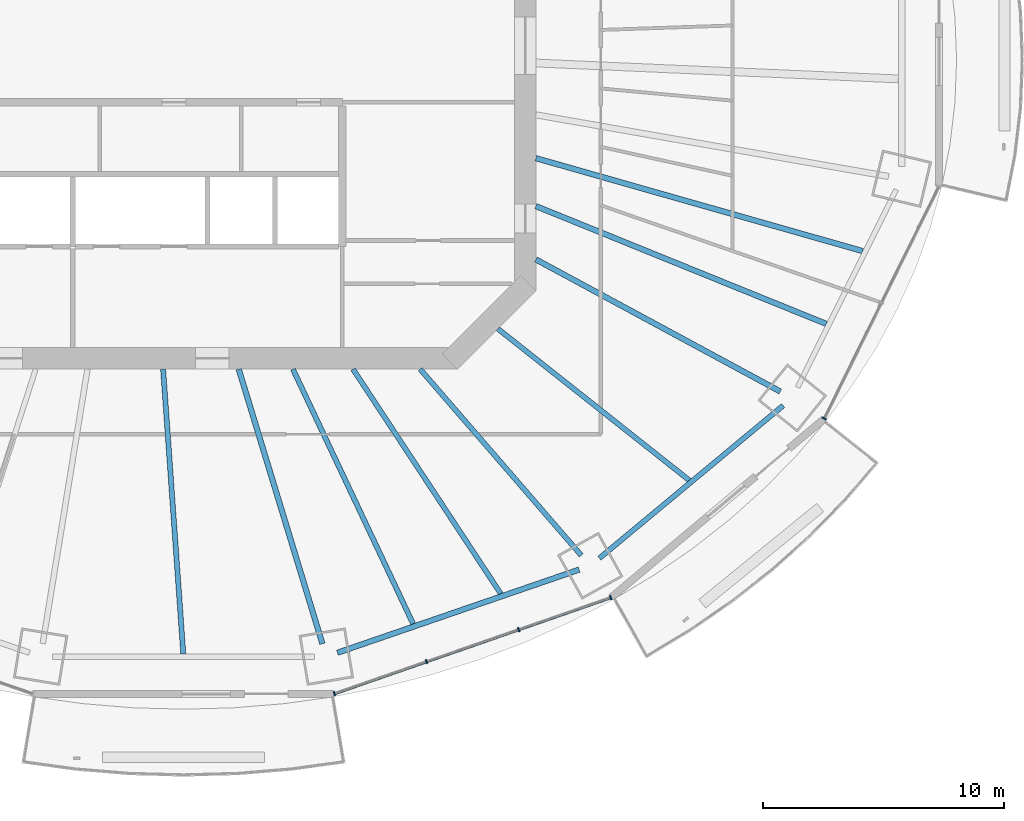
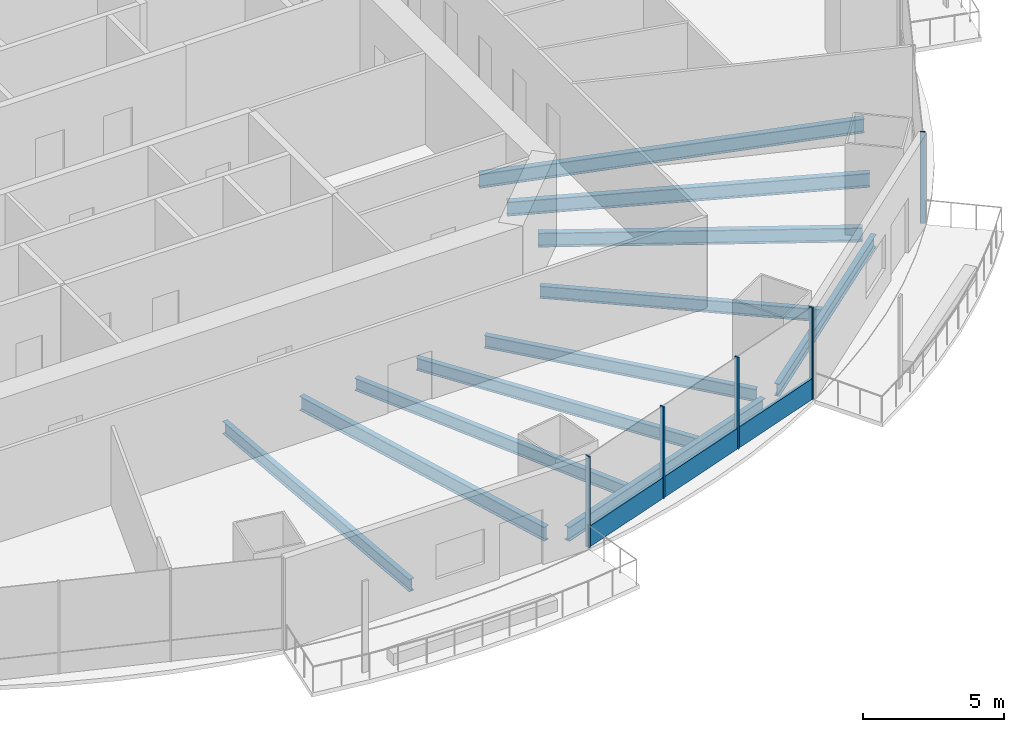
# One storey, part 4 of 20: 11 beams, 6 members, 2 elements without a shape of their own.
"""IFC4 building model written with IfcOpenShell, lengths in metres."""

from ifc_helpers import new_model, si_unit, direction, frame, origin, origin_2d, place, context, subcontext, project, spatial, rectangle, i_section, extrude, material, material_profile, profile_set, type_object, element, aggregate, save


model = new_model("IFC4")

# Units and contexts
model_context = context("Model", 3, precision=1e-05, world=origin(), true_north=direction((0.0, 1.0)))
body_context = subcontext(model_context, "Body", "Model", "MODEL_VIEW")
ifc_project = project(units=[si_unit("LENGTHUNIT", "METRE"), si_unit("AREAUNIT", "SQUARE_METRE"), si_unit("VOLUMEUNIT", "CUBIC_METRE"), si_unit("PLANEANGLEUNIT", "RADIAN"), si_unit("MASSUNIT", "GRAM", prefix="KILO")], contexts=[model_context])

# Site, building, storey
site_placement = place(None, origin())
site = spatial("IfcSite", under=ifc_project, at=site_placement, CompositionType="ELEMENT")
building_placement = place(site_placement, origin())
building = spatial("IfcBuilding", under=site, at=building_placement, Name="Marenthal Gate Tower", CompositionType="ELEMENT")
storey_placement = place(building_placement, frame((0.0, 0.0, 194.25)))
storey = spatial("IfcBuildingStorey", under=building, at=storey_placement, Name="L42", CompositionType="ELEMENT", Elevation=194.25)

# Curtain wall, members
ifc_material_1 = material(Name="Aluminium and glass", Category="aluminium")
curtain_wall_type = type_object("IfcCurtainWallType", Name="Curtain wall typical mid", PredefinedType="NOTDEFINED", material=ifc_material_1)
curtain_wall_1_placement = place(storey_placement, origin())
curtain_wall_1 = element("IfcCurtainWall", 1, at=curtain_wall_1_placement, inside=storey, type_object=curtain_wall_type, Name="Curtain wall L42 bay 13", PredefinedType="NOTDEFINED")
ifc_material_2 = material(Name="Aluminium", Category="aluminium")
ifc_material_profile_1 = material_profile(ifc_material_2, rectangle(XDim=0.179931640625, YDim=0.06005859375, at=origin_2d()), Name="60x180 aluminium mullion")
ifc_profile_set_1 = profile_set([ifc_material_profile_1], Name="Aluminium")
member_type_1 = type_object("IfcMemberType", Name="Mullion 60x180 typical mid", PredefinedType="MULLION", material=ifc_profile_set_1)
member_1_placement = place(storey_placement, frame((8.07421875, -26.93505859375, 0.0), z_axis=(0.0, 0.0, 1.0), x_axis=(-0.328273001535, 0.944582890203, 0.0)))
member_1 = element("IfcMember", 2, at=member_1_placement, type_object=member_type_1, Name="Mullion L42 bay 13.1", PredefinedType="MULLION", context=body_context, shape_type="SweptSolid", body=[
    extrude(rectangle(XDim=0.179931640625, YDim=0.06005859375, at=origin_2d()), origin(), (0.0, 0.0, 1.0), 3.969970703125),
])
member_2_placement = place(storey_placement, frame((11.902099609375, -25.604736328125, 0.0), z_axis=(0.0, 0.0, 1.0), x_axis=(-0.328273001535, 0.944582890203, 0.0)))
member_2 = element("IfcMember", 3, at=member_2_placement, type_object=member_type_1, Name="Mullion L42 bay 13.2", PredefinedType="MULLION", context=body_context, shape_type="SweptSolid", body=[
    extrude(rectangle(XDim=0.179931640625, YDim=0.06005859375, at=origin_2d()), origin(), (0.0, 0.0, 1.0), 3.969970703125),
])
member_3_placement = place(storey_placement, frame((15.730224609375, -24.2744140625, 0.0), z_axis=(0.0, 0.0, 1.0), x_axis=(-0.328273001535, 0.944582890203, 0.0)))
member_3 = element("IfcMember", 4, at=member_3_placement, type_object=member_type_1, Name="Mullion L42 bay 13.3", PredefinedType="MULLION", context=body_context, shape_type="SweptSolid", body=[
    extrude(rectangle(XDim=0.179931640625, YDim=0.06005859375, at=origin_2d()), origin(), (0.0, 0.0, 1.0), 3.969970703125),
])
member_4_placement = place(storey_placement, frame((19.558349609375, -22.94384765625, 0.0), z_axis=(0.0, 0.0, 1.0), x_axis=(-0.328273001535, 0.944582890203, 0.0)))
member_4 = element("IfcMember", 5, at=member_4_placement, type_object=member_type_1, Name="Mullion L42 bay 13.4", PredefinedType="MULLION", context=body_context, shape_type="SweptSolid", body=[
    extrude(rectangle(XDim=0.179931640625, YDim=0.06005859375, at=origin_2d()), origin(), (0.0, 0.0, 1.0), 3.969970703125),
])

# Curtain wall, member
curtain_wall_2_placement = place(storey_placement, origin())
curtain_wall_2 = element("IfcCurtainWall", 6, at=curtain_wall_2_placement, inside=storey, type_object=curtain_wall_type, Name="Curtain wall L42 bay 15", PredefinedType="NOTDEFINED")
member_5_placement = place(storey_placement, frame((28.432861328125, -15.496337890625, 0.0), z_axis=(0.0, 0.0, 1.0), x_axis=(-0.896680826174, 0.442677643406, 0.0)))
member_5 = element("IfcMember", 7, at=member_5_placement, type_object=member_type_1, Name="Mullion L42 bay 15.1", PredefinedType="MULLION", context=body_context, shape_type="SweptSolid", body=[
    extrude(rectangle(XDim=0.179931640625, YDim=0.06005859375, at=origin_2d()), origin(), (0.0, 0.0, 1.0), 3.969970703125),
])
aggregate(curtain_wall_2, [member_5])

# Member
ifc_material_3 = material(Name="Aluminium", Category="aluminium")
ifc_material_profile_2 = material_profile(ifc_material_3, rectangle(XDim=0.1201171875, YDim=0.89990234375, at=origin_2d()), Name="120x900 aluminium transom")
ifc_profile_set_2 = profile_set([ifc_material_profile_2], Name="Aluminium")
member_type_2 = type_object("IfcMemberType", Name="Transom 120x900 typical mid", PredefinedType="USERDEFINED", material=ifc_profile_set_2)
member_6_placement = place(storey_placement, frame((8.1025390625, -26.92529296875, 0.449951171875), z_axis=(0.944582522585, 0.328274059326, 0.0), x_axis=(-0.328274059326, 0.944582522585, 0.0)))
member_6 = element("IfcMember", 8, at=member_6_placement, type_object=member_type_2, Name="Transom L42 bay 13", ObjectType="TRANSOM", PredefinedType="USERDEFINED", context=body_context, shape_type="SweptSolid", body=[
    extrude(rectangle(XDim=0.1201171875, YDim=0.89990234375, at=origin_2d()), origin(), (0.0, 0.0, 1.0), 12.097900390625),
])

aggregate(curtain_wall_1, [member_1, member_2, member_3, member_4, member_6])

# Beams
ifc_material_4 = material(Name="Steel S355", Category="steel")
ifc_material_profile_3 = material_profile(ifc_material_4, i_section(OverallWidth=0.2099609375, OverallDepth=0.535888671875, WebThickness=0.010986328125, FlangeThickness=0.017333984375, FilletRadius=0.0126953125, at=origin_2d()), Name="W530X101")
ifc_profile_set_3 = profile_set([ifc_material_profile_3], Name="Steel S355")
beam_type_1 = type_object("IfcBeamType", Name="W530X101 beam", PredefinedType="BEAM", material=ifc_profile_set_3)
beam_1_placement = place(storey_placement, frame((14.98681640625, -22.780029296875, -0.447998046875), z_axis=(-0.549614895489, 0.835418138812, 0.0), x_axis=(-0.835418138812, -0.549614895489, 0.0)))
element("IfcBeam", 9, at=beam_1_placement, inside=storey, type_object=beam_type_1, Name="BM-L42-36", PredefinedType="BEAM", context=body_context, shape_type="SweptSolid", body=[
    extrude(i_section(OverallWidth=0.2099609375, OverallDepth=0.535888671875, WebThickness=0.010986328125, FlangeThickness=0.017333984375, FilletRadius=0.0126953125, at=origin_2d()), origin(), (0.0, 0.0, 1.0), 11.168212890625),
])
beam_2_placement = place(storey_placement, frame((22.822265625, -18.065673828125, -0.447998046875), z_axis=(-0.78407022225, 0.620672124862, 0.0), x_axis=(-0.620672124862, -0.78407022225, 0.0)))
element("IfcBeam", 10, at=beam_2_placement, inside=storey, type_object=beam_type_1, Name="BM-L42-37", PredefinedType="BEAM", context=body_context, shape_type="SweptSolid", body=[
    extrude(i_section(OverallWidth=0.2099609375, OverallDepth=0.535888671875, WebThickness=0.010986328125, FlangeThickness=0.017333984375, FilletRadius=0.0126953125, at=origin_2d()), origin(), (0.0, 0.0, 1.0), 10.145263671875),
])
ifc_material_5 = material(Name="Steel S355", Category="steel")
ifc_material_profile_4 = material_profile(ifc_material_5, i_section(OverallWidth=0.2119140625, OverallDepth=0.5439453125, WebThickness=0.01318359375, FlangeThickness=0.021240234375, FilletRadius=0.0126953125, at=origin_2d()), Name="W530X123")
ifc_profile_set_4 = profile_set([ifc_material_profile_4], Name="Steel S355")
beam_type_2 = type_object("IfcBeamType", Name="W530X123 beam", PredefinedType="BEAM", material=ifc_profile_set_4)
beam_3_placement = place(storey_placement, frame((18.333984375, -21.187255859375, -0.451904296875), z_axis=(-0.654352606016, 0.756189570809, 0.0), x_axis=(-0.756189570809, -0.654352606016, 0.0)))
element("IfcBeam", 11, at=beam_3_placement, inside=storey, type_object=beam_type_2, Name="BM-L42-14", PredefinedType="BEAM", context=body_context, shape_type="SweptSolid", body=[
    extrude(i_section(OverallWidth=0.2119140625, OverallDepth=0.5439453125, WebThickness=0.01318359375, FlangeThickness=0.021240234375, FilletRadius=0.0126953125, at=origin_2d()), origin(), (0.0, 0.0, 1.0), 10.23193359375),
])
beam_4_placement = place(storey_placement, frame((1.7919921875, -25.28076171875, -0.451904296875), z_axis=(-0.070707248885, 0.997497110249, 0.0), x_axis=(-0.997497110249, -0.070707248885, 0.0)))
element("IfcBeam", 12, at=beam_4_placement, inside=storey, type_object=beam_type_2, Name="BM-L42-34", PredefinedType="BEAM", context=body_context, shape_type="SweptSolid", body=[
    extrude(i_section(OverallWidth=0.2119140625, OverallDepth=0.5439453125, WebThickness=0.01318359375, FlangeThickness=0.021240234375, FilletRadius=0.0126953125, at=origin_2d()), origin(), (0.0, 0.0, 1.0), 11.860595703125),
])
beam_5_placement = place(storey_placement, frame((11.345458984375, -24.03271484375, -0.451904296875), z_axis=(-0.42689684646, 0.904300327592, 0.0), x_axis=(-0.904300327592, -0.42689684646, 0.0)))
element("IfcBeam", 13, at=beam_5_placement, inside=storey, type_object=beam_type_2, Name="BM-L42-35", PredefinedType="BEAM", context=body_context, shape_type="SweptSolid", body=[
    extrude(i_section(OverallWidth=0.2119140625, OverallDepth=0.5439453125, WebThickness=0.01318359375, FlangeThickness=0.021240234375, FilletRadius=0.0126953125, at=origin_2d()), origin(), (0.0, 0.0, 1.0), 11.70263671875),
])
beam_6_placement = place(storey_placement, frame((19.08740234375, -21.305908203125, -0.451904296875), z_axis=(0.769236112246, 0.638964634089, 0.0), x_axis=(-0.638964634089, 0.769236112246, 0.0)))
element("IfcBeam", 14, at=beam_6_placement, inside=storey, type_object=beam_type_2, Name="BM-L42-54", PredefinedType="BEAM", context=body_context, shape_type="SweptSolid", body=[
    extrude(i_section(OverallWidth=0.2119140625, OverallDepth=0.5439453125, WebThickness=0.01318359375, FlangeThickness=0.021240234375, FilletRadius=0.0126953125, at=origin_2d()), origin(), (0.0, 0.0, 1.0), 9.928955078125),
])
ifc_material_6 = material(Name="Steel S355", Category="steel")
ifc_material_profile_5 = material_profile(ifc_material_6, i_section(OverallWidth=0.22900390625, OverallDepth=0.612060546875, WebThickness=0.011962890625, FlangeThickness=0.01953125, FilletRadius=0.0126953125, at=origin_2d()), Name="W610X125")
ifc_profile_set_5 = profile_set([ifc_material_profile_5], Name="Steel S355")
beam_type_3 = type_object("IfcBeamType", Name="W610X125 beam", PredefinedType="BEAM", material=ifc_profile_set_5)
beam_7_placement = place(storey_placement, frame((7.57470703125, -24.8603515625, -0.486083984375), z_axis=(-0.291474345726, 0.956578645896, 0.0), x_axis=(-0.956578645896, -0.291474345726, 0.0)))
element("IfcBeam", 15, at=beam_7_placement, inside=storey, type_object=beam_type_3, Name="BM-L42-13", PredefinedType="BEAM", context=body_context, shape_type="SweptSolid", body=[
    extrude(i_section(OverallWidth=0.22900390625, OverallDepth=0.612060546875, WebThickness=0.011962890625, FlangeThickness=0.01953125, FilletRadius=0.0126953125, at=origin_2d()), origin(), (0.0, 0.0, 1.0), 11.928466796875),
])
beam_8_placement = place(storey_placement, frame((26.6064453125, -14.37548828125, -0.486083984375), z_axis=(-0.879795204452, 0.475352919653, 0.0), x_axis=(-0.475352919653, -0.879795204452, 0.0)))
element("IfcBeam", 16, at=beam_8_placement, inside=storey, type_object=beam_type_3, Name="BM-L42-15", PredefinedType="BEAM", context=body_context, shape_type="SweptSolid", body=[
    extrude(i_section(OverallWidth=0.22900390625, OverallDepth=0.612060546875, WebThickness=0.011962890625, FlangeThickness=0.01953125, FilletRadius=0.0126953125, at=origin_2d()), origin(), (0.0, 0.0, 1.0), 11.544189453125),
])
beam_9_placement = place(storey_placement, frame((28.522216796875, -11.567626953125, -0.486083984375), z_axis=(-0.926690233528, 0.375826038326, 0.0), x_axis=(-0.375826038326, -0.926690233528, 0.0)))
element("IfcBeam", 17, at=beam_9_placement, inside=storey, type_object=beam_type_3, Name="BM-L42-38", PredefinedType="BEAM", context=body_context, shape_type="SweptSolid", body=[
    extrude(i_section(OverallWidth=0.22900390625, OverallDepth=0.612060546875, WebThickness=0.011962890625, FlangeThickness=0.01953125, FilletRadius=0.0126953125, at=origin_2d()), origin(), (0.0, 0.0, 1.0), 13.02734375),
])
beam_10_placement = place(storey_placement, frame((30.031494140625, -8.540283203125, -0.486083984375), z_axis=(-0.961862496817, 0.273533429798, 0.0), x_axis=(-0.273533429798, -0.961862496817, 0.0)))
element("IfcBeam", 18, at=beam_10_placement, inside=storey, type_object=beam_type_3, Name="BM-L42-39", PredefinedType="BEAM", context=body_context, shape_type="SweptSolid", body=[
    extrude(i_section(OverallWidth=0.22900390625, OverallDepth=0.612060546875, WebThickness=0.011962890625, FlangeThickness=0.01953125, FilletRadius=0.0126953125, at=origin_2d()), origin(), (0.0, 0.0, 1.0), 14.1201171875),
])
beam_11_placement = place(storey_placement, frame((8.199951171875, -25.236083984375, -0.486083984375), z_axis=(0.945594274162, 0.325348226785, 0.0), x_axis=(-0.325348226785, 0.945594274162, 0.0)))
element("IfcBeam", 19, at=beam_11_placement, inside=storey, type_object=beam_type_3, Name="BM-L42-53", PredefinedType="BEAM", context=body_context, shape_type="SweptSolid", body=[
    extrude(i_section(OverallWidth=0.22900390625, OverallDepth=0.612060546875, WebThickness=0.011962890625, FlangeThickness=0.01953125, FilletRadius=0.0126953125, at=origin_2d()), origin(), (0.0, 0.0, 1.0), 10.623291015625),
])

save(model, "model.ifc")
